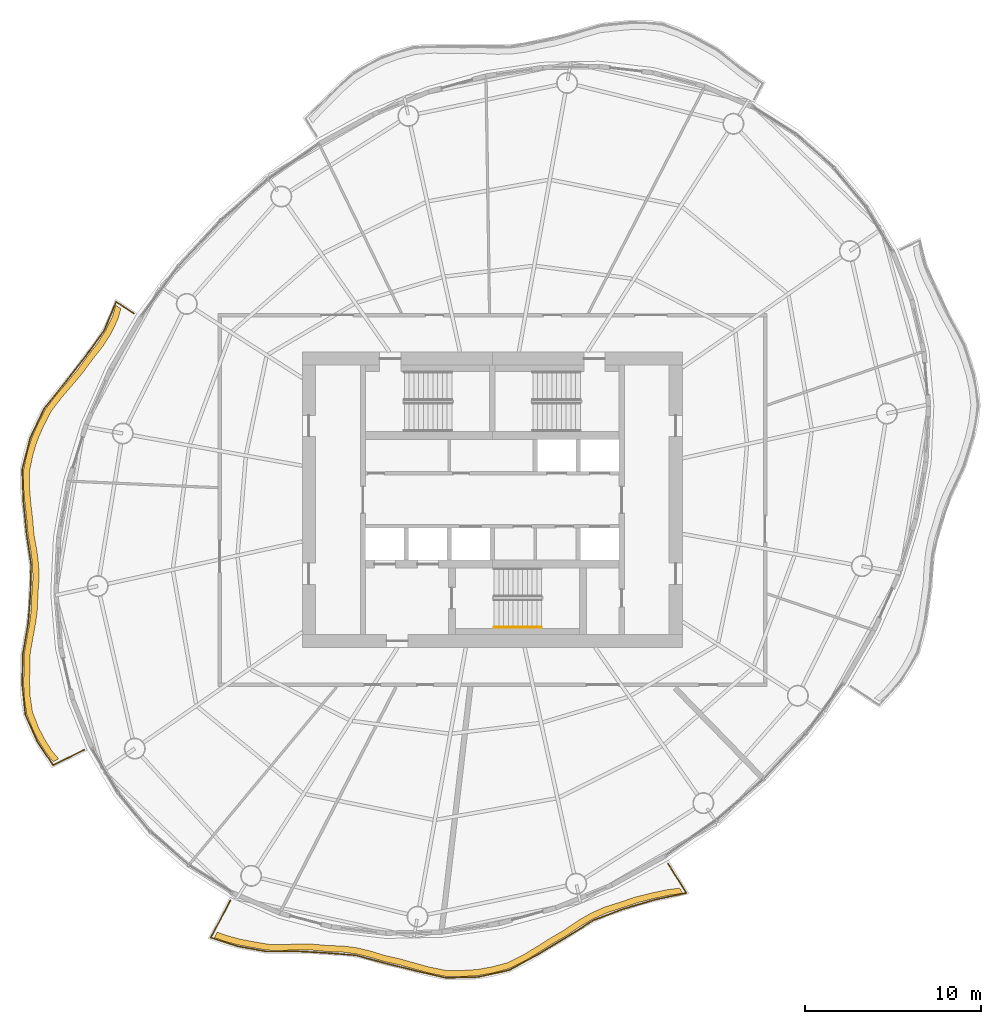
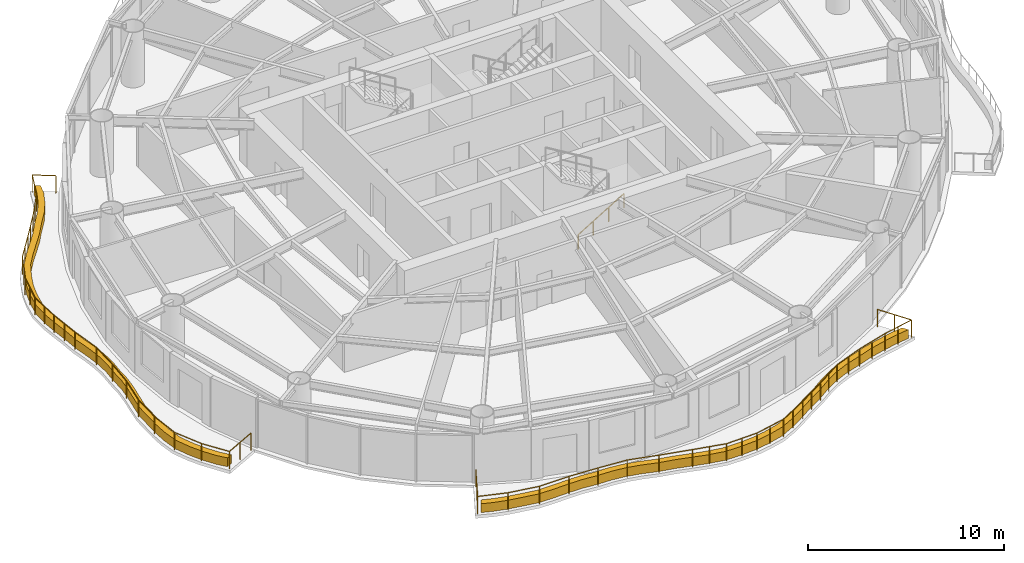
# One storey, part 12 of 14: 3 railings, 2 coverings.
"""IFC4 building model written with IfcOpenShell, lengths in metres."""

from ifc_helpers import new_model, si_unit, direction, frame, origin, origin_2d, place, context, subcontext, project, spatial, polyline, circle, outline, extrude, material, type_object, element, save


model = new_model("IFC4")

# Units and contexts
model_context = context("Model", 3, precision=1e-05, world=origin(), true_north=direction((0.0, 1.0)))
body_context = subcontext(model_context, "Body", "Model", "MODEL_VIEW")
ifc_project = project(units=[si_unit("LENGTHUNIT", "METRE"), si_unit("AREAUNIT", "SQUARE_METRE"), si_unit("VOLUMEUNIT", "CUBIC_METRE"), si_unit("PLANEANGLEUNIT", "RADIAN"), si_unit("MASSUNIT", "GRAM", prefix="KILO")], contexts=[model_context])

# Site, building, storey
site_placement = place(None, origin())
site = spatial("IfcSite", under=ifc_project, at=site_placement, CompositionType="ELEMENT")
building_placement = place(site_placement, origin())
building = spatial("IfcBuilding", under=site, at=building_placement, Name="Vermilion Reach Broadcast Tower", CompositionType="ELEMENT")
storey_placement = place(building_placement, frame((0.0, 0.0, 210.10009765625)))
storey = spatial("IfcBuildingStorey", under=building, at=storey_placement, Name="L51", CompositionType="ELEMENT", Elevation=210.10009765625)

# Coverings
ifc_material_1 = material(Name="Planting soil and greenery")
covering_type = type_object("IfcCoveringType", Name="Balcony PLANTER", PredefinedType="USERDEFINED", material=ifc_material_1)
placement = place(storey_placement, origin())
element("IfcCovering", 1, at=placement, inside=storey, type_object=covering_type, Name="PLANTER L51 group 2", ObjectType="PLANTER", PredefinedType="USERDEFINED", context=body_context, shape_type="SweptSolid", body=[
    extrude(outline(polyline([(-27.400390625, 11.056640625), (-27.589599609375, 10.4140625), (-27.974365234375, 9.61962890625), (-28.44677734375, 8.876708984375), (-29.03759765625, 8.12353515625), (-29.6015625, 7.35107421875), (-30.18115234375, 6.66015625), (-30.77099609375, 5.97412109375), (-31.388916015625, 5.16162109375), (-31.843017578125, 4.28076171875), (-32.18310546875, 3.49755859375), (-32.434326171875, 2.68701171875), (-32.63916015625, 1.7119140625), (-32.644287109375, 0.72509765625), (-32.570068359375, -0.130126953125), (-32.4697265625, -0.990234375), (-32.39208984375, -1.94140625), (-32.233642578125, -2.851806640625), (-32.131103515625, -3.66552734375), (-32.106689453125, -4.4755859375), (-32.171875, -5.35400390625), (-32.197998046875, -6.219482421875), (-32.297607421875, -7.01806640625), (-32.4443359375, -7.82080078125), (-32.602783203125, -8.753173828125), (-32.619873046875, -9.67724609375), (-32.63671875, -10.4697265625), (-32.6025390625, -11.250244140625), (-32.461181640625, -12.19287109375), (-32.115478515625, -13.060791015625), (-31.76904296875, -13.732177734375), (-31.361572265625, -14.37939453125), (-30.9599609375, -14.875732421875), (-30.6455078125, -14.721923828125), (-31.0361328125, -14.250244140625), (-31.443603515625, -13.60302734375), (-31.7900390625, -12.931640625), (-32.127197265625, -12.08837890625), (-32.26171875, -11.1708984375), (-32.2958984375, -10.390380859375), (-32.279052734375, -9.597900390625), (-32.257080078125, -8.6982421875), (-32.095703125, -7.79052734375), (-31.94873046875, -6.98779296875), (-31.84912109375, -6.189208984375), (-31.822021484375, -5.347412109375), (-31.757080078125, -4.49267578125), (-31.78173828125, -3.6826171875), (-31.884033203125, -2.868896484375), (-32.04443359375, -1.980712890625), (-32.125244140625, -1.0517578125), (-32.225341796875, -0.19189453125), (-32.2998046875, 0.663330078125), (-32.298828125, 1.62939453125), (-32.099853515625, 2.583984375), (-31.848876953125, 3.39453125), (-31.508544921875, 4.177734375), (-31.06103515625, 5.0390625), (-30.45068359375, 5.832763671875), (-29.86083984375, 6.518798828125), (-29.281494140625, 7.20947265625), (-28.725830078125, 7.964111328125), (-28.14453125, 8.7001953125), (-27.672119140625, 9.443115234375), (-27.28759765625, 10.237548828125), (-27.1083984375, 10.86376953125), (-27.400390625, 11.056640625)])), origin(), (0.0, 0.0, 1.0), 0.5498046875),
])
element("IfcCovering", 2, at=placement, inside=storey, type_object=covering_type, Name="PLANTER L51 group 3", ObjectType="PLANTER", PredefinedType="USERDEFINED", context=body_context, shape_type="SweptSolid", body=[
    extrude(outline(polyline([(-21.794677734375, -24.880615234375), (-21.189208984375, -25.096923828125), (-20.454833984375, -25.292724609375), (-19.697265625, -25.43505859375), (-18.79248046875, -25.597412109375), (-17.851806640625, -25.604736328125), (-17.0517578125, -25.58251953125), (-16.260009765625, -25.591796875), (-15.404296875, -25.673828125), (-14.534423828125, -25.702880859375), (-13.75390625, -25.8037109375), (-12.982421875, -25.98388671875), (-12.130615234375, -26.243896484375), (-11.229736328125, -26.442138671875), (-10.41748046875, -26.66943359375), (-9.605224609375, -26.89404296875), (-8.650634765625, -27.083740234375), (-7.667236328125, -27.09130859375), (-6.8369140625, -27.040771484375), (-6.019775390625, -26.90087890625), (-5.074951171875, -26.65380859375), (-4.16943359375, -26.211181640625), (-3.414794921875, -25.75634765625), (-2.66552734375, -25.281982421875), (-1.833251953125, -24.800048828125), (-1.030517578125, -24.258056640625), (-0.274169921875, -23.8193359375), (0.517822265625, -23.468017578125), (1.40576171875, -23.184326171875), (2.31201171875, -22.87548828125), (3.19482421875, -22.656494140625), (4.09375, -22.467041015625), (4.825927734375, -22.36376953125), (4.6416015625, -22.066162109375), (3.92626953125, -22.15966796875), (3.027099609375, -22.34912109375), (2.144287109375, -22.568115234375), (1.255859375, -22.8681640625), (0.3857421875, -23.143798828125), (-0.40625, -23.4951171875), (-1.162353515625, -23.93408203125), (-1.946044921875, -24.46875), (-2.7587890625, -24.944580078125), (-3.508056640625, -25.4189453125), (-4.2626953125, -25.8740234375), (-5.1474609375, -26.311279296875), (-6.0712890625, -26.5546875), (-6.888427734375, -26.694580078125), (-7.71875, -26.7451171875), (-8.679931640625, -26.735107421875), (-9.61181640625, -26.544189453125), (-10.42431640625, -26.319580078125), (-11.236572265625, -26.09228515625), (-12.11376953125, -25.894287109375), (-12.94189453125, -25.636474609375), (-13.71337890625, -25.4560546875), (-14.493896484375, -25.355224609375), (-15.339111328125, -25.330078125), (-16.170654296875, -25.25341796875), (-16.96240234375, -25.244140625), (-17.762451171875, -25.266357421875), (-18.677978515625, -25.2666015625), (-19.55859375, -25.11376953125), (-20.316162109375, -24.971435546875), (-21.050537109375, -24.775634765625), (-21.631591796875, -24.57080078125), (-21.794677734375, -24.880615234375)])), origin(), (0.0, 0.0, 1.0), 0.5498046875),
])

# Railings
ifc_material_2 = material(Name="Stainless steel 316 balustrade", Category="steel")
railing_type_1 = type_object("IfcRailingType", Name="Balcony guard 1100", PredefinedType="BALUSTRADE", material=ifc_material_2)
railing_1_placement = place(storey_placement, frame((-26.3642578125, 10.587890625, 0.0)))
element("IfcRailing", 3, at=railing_1_placement, inside=storey, type_object=railing_type_1, Name="Balcony guard L51 group 2", PredefinedType="BALUSTRADE", context=body_context, shape_type="SweptSolid", body=[
    extrude(circle(Radius=0.02490234375, at=origin_2d()), frame((0.0, 0.0, 1.0751953125), z_axis=(-0.83448906329, 0.551024503311, 0.0), x_axis=(-0.551024503311, -0.83448906329, 0.0)), (0.0, 0.0, 1.0), 1.212646484375),
    extrude(circle(Radius=0.02490234375, at=origin_2d()), frame((-1.011962890625, 0.668212890625, 1.0751953125), z_axis=(-0.385727498958, -0.922612755466, 0.0), x_axis=(0.922612755466, -0.385727498958, 0.0)), (0.0, 0.0, 1.0), 1.729736328125),
    extrude(circle(Radius=0.02490234375, at=origin_2d()), frame((-1.67919921875, -0.927734375, 1.0751953125), z_axis=(-0.579014538019, -0.815317217261, 0.0), x_axis=(0.815317217261, -0.579014538019, 0.0)), (0.0, 0.0, 1.0), 1.840087890625),
    extrude(circle(Radius=0.02490234375, at=origin_2d()), frame((-2.74462890625, -2.427978515625, 1.0751953125), z_axis=(-0.61537422171, -0.788235096436, 0.0), x_axis=(0.788235096436, -0.61537422171, 0.0)), (0.0, 0.0, 1.0), 1.861572265625),
    extrude(circle(Radius=0.02490234375, at=origin_2d()), frame((-3.89013671875, -3.895263671875, 1.0751953125), z_axis=(-0.626945715214, -0.779062943654, 0.0), x_axis=(0.779062943654, -0.626945715214, 0.0)), (0.0, 0.0, 1.0), 1.92919921875),
    extrude(circle(Radius=0.02490234375, at=origin_2d()), frame((-5.099609375, -5.398193359375, 1.0751953125), z_axis=(-0.430548668689, -0.902567362522, 0.0), x_axis=(0.902567362522, -0.430548668689, 0.0)), (0.0, 0.0, 1.0), 1.8486328125),
    extrude(circle(Radius=0.02490234375, at=origin_2d()), frame((-5.8955078125, -7.066650390625, 1.0751953125), z_axis=(-0.247319910228, -0.968933879067, 0.0), x_axis=(0.968933879067, -0.247319910228, 0.0)), (0.0, 0.0, 1.0), 1.847900390625),
    extrude(circle(Radius=0.02490234375, at=origin_2d()), frame((-6.3525390625, -8.857177734375, 1.0751953125), z_axis=(0.036855314049, -0.999320612129, 0.0), x_axis=(0.999320612129, 0.036855314049, 0.0)), (0.0, 0.0, 1.0), 1.84814453125),
    extrude(circle(Radius=0.02490234375, at=origin_2d()), frame((-6.284423828125, -10.7041015625, 1.0751953125), z_axis=(0.096999757188, -0.995284405135, 0.0), x_axis=(0.995284405135, 0.096999757188, 0.0)), (0.0, 0.0, 1.0), 1.82470703125),
    extrude(circle(Radius=0.02490234375, at=origin_2d()), frame((-6.107421875, -12.520263671875, 1.0751953125), z_axis=(0.148961661885, -0.988842972007, 0.0), x_axis=(0.988842972007, 0.148961661885, 0.0)), (0.0, 0.0, 1.0), 1.748779296875),
    extrude(circle(Radius=0.02490234375, at=origin_2d()), frame((-5.846923828125, -14.24951171875, 1.0751953125), z_axis=(-0.023915912902, -0.999713973649, 0.0), x_axis=(0.999713973649, -0.023915912902, 0.0)), (0.0, 0.0, 1.0), 1.694580078125),
    extrude(circle(Radius=0.02490234375, at=origin_2d()), frame((-5.887451171875, -15.943603515625, 1.0751953125), z_axis=(-0.074967615624, -0.997185968918, 0.0), x_axis=(0.997185968918, -0.074967615624, 0.0)), (0.0, 0.0, 1.0), 1.673828125),
    extrude(circle(Radius=0.02490234375, at=origin_2d()), frame((-6.012939453125, -17.61279296875, 1.0751953125), z_axis=(-0.172256350896, -0.985052155764, 0.0), x_axis=(0.985052155764, -0.172256350896, 0.0)), (0.0, 0.0, 1.0), 1.767333984375),
    extrude(circle(Radius=0.02490234375, at=origin_2d()), frame((-6.3173828125, -19.353759765625, 1.0751953125), z_axis=(-0.019134573835, -0.999816917282, 0.0), x_axis=(0.999816917282, -0.019134573835, 0.0)), (0.0, 0.0, 1.0), 1.722412109375),
    extrude(circle(Radius=0.02490234375, at=origin_2d()), frame((-6.350341796875, -21.075927734375, 1.0751953125), z_axis=(0.101993218234, -0.994785094095, 0.0), x_axis=(0.994785094095, 0.101993218234, 0.0)), (0.0, 0.0, 1.0), 1.73779296875),
    extrude(circle(Radius=0.02490234375, at=origin_2d()), frame((-6.173095703125, -22.8046875, 1.0751953125), z_axis=(0.409813183198, -0.912169477058, 0.0), x_axis=(0.912169477058, 0.409813183198, 0.0)), (0.0, 0.0, 1.0), 1.693603515625),
    extrude(circle(Radius=0.02490234375, at=origin_2d()), frame((-5.47900390625, -24.349609375, 1.0751953125), z_axis=(0.554771397847, -0.832002822189, 0.0), x_axis=(0.832002822189, 0.554771397847, 0.0)), (0.0, 0.0, 1.0), 1.58251953125),
    extrude(circle(Radius=0.02490234375, at=origin_2d()), frame((-4.60107421875, -25.666259765625, 1.0751953125), z_axis=(0.898109601747, 0.439771694461, 0.0), x_axis=(-0.439771694461, 0.898109601747, 0.0)), (0.0, 0.0, 1.0), 1.972412109375),
    extrude(circle(Radius=0.02490234375, at=origin_2d()), origin(), (0.0, 0.0, 1.0), 1.050048828125),
    extrude(circle(Radius=0.02490234375, at=origin_2d()), frame((-1.011962890625, 0.668212890625, 0.0)), (0.0, 0.0, 1.0), 1.050048828125),
    extrude(circle(Radius=0.02490234375, at=origin_2d()), frame((-1.67919921875, -0.927734375, 0.0)), (0.0, 0.0, 1.0), 1.050048828125),
    extrude(circle(Radius=0.02490234375, at=origin_2d()), frame((-2.2119140625, -1.677734375, 0.0)), (0.0, 0.0, 1.0), 1.050048828125),
    extrude(circle(Radius=0.02490234375, at=origin_2d()), frame((-2.74462890625, -2.427978515625, 0.0)), (0.0, 0.0, 1.0), 1.050048828125),
    extrude(circle(Radius=0.02490234375, at=origin_2d()), frame((-3.3173828125, -3.16162109375, 0.0)), (0.0, 0.0, 1.0), 1.050048828125),
    extrude(circle(Radius=0.02490234375, at=origin_2d()), frame((-3.89013671875, -3.895263671875, 0.0)), (0.0, 0.0, 1.0), 1.050048828125),
    extrude(circle(Radius=0.02490234375, at=origin_2d()), frame((-4.494873046875, -4.646728515625, 0.0)), (0.0, 0.0, 1.0), 1.050048828125),
    extrude(circle(Radius=0.02490234375, at=origin_2d()), frame((-5.099609375, -5.398193359375, 0.0)), (0.0, 0.0, 1.0), 1.050048828125),
    extrude(circle(Radius=0.02490234375, at=origin_2d()), frame((-5.49755859375, -6.232421875, 0.0)), (0.0, 0.0, 1.0), 1.050048828125),
    extrude(circle(Radius=0.02490234375, at=origin_2d()), frame((-5.8955078125, -7.066650390625, 0.0)), (0.0, 0.0, 1.0), 1.050048828125),
    extrude(circle(Radius=0.02490234375, at=origin_2d()), frame((-6.1240234375, -7.9619140625, 0.0)), (0.0, 0.0, 1.0), 1.050048828125),
    extrude(circle(Radius=0.02490234375, at=origin_2d()), frame((-6.3525390625, -8.857177734375, 0.0)), (0.0, 0.0, 1.0), 1.050048828125),
    extrude(circle(Radius=0.02490234375, at=origin_2d()), frame((-6.318359375, -9.78076171875, 0.0)), (0.0, 0.0, 1.0), 1.050048828125),
    extrude(circle(Radius=0.02490234375, at=origin_2d()), frame((-6.284423828125, -10.7041015625, 0.0)), (0.0, 0.0, 1.0), 1.050048828125),
    extrude(circle(Radius=0.02490234375, at=origin_2d()), frame((-6.19580078125, -11.6123046875, 0.0)), (0.0, 0.0, 1.0), 1.050048828125),
    extrude(circle(Radius=0.02490234375, at=origin_2d()), frame((-6.107421875, -12.520263671875, 0.0)), (0.0, 0.0, 1.0), 1.050048828125),
    extrude(circle(Radius=0.02490234375, at=origin_2d()), frame((-5.846923828125, -14.24951171875, 0.0)), (0.0, 0.0, 1.0), 1.050048828125),
    extrude(circle(Radius=0.02490234375, at=origin_2d()), frame((-5.887451171875, -15.943603515625, 0.0)), (0.0, 0.0, 1.0), 1.050048828125),
    extrude(circle(Radius=0.02490234375, at=origin_2d()), frame((-6.012939453125, -17.61279296875, 0.0)), (0.0, 0.0, 1.0), 1.050048828125),
    extrude(circle(Radius=0.02490234375, at=origin_2d()), frame((-6.3173828125, -19.353759765625, 0.0)), (0.0, 0.0, 1.0), 1.050048828125),
    extrude(circle(Radius=0.02490234375, at=origin_2d()), frame((-6.350341796875, -21.075927734375, 0.0)), (0.0, 0.0, 1.0), 1.050048828125),
    extrude(circle(Radius=0.02490234375, at=origin_2d()), frame((-6.173095703125, -22.8046875, 0.0)), (0.0, 0.0, 1.0), 1.050048828125),
    extrude(circle(Radius=0.02490234375, at=origin_2d()), frame((-5.47900390625, -24.349609375, 0.0)), (0.0, 0.0, 1.0), 1.050048828125),
    extrude(circle(Radius=0.02490234375, at=origin_2d()), frame((-4.60107421875, -25.666259765625, 0.0)), (0.0, 0.0, 1.0), 1.050048828125),
    extrude(circle(Radius=0.02490234375, at=origin_2d()), frame((-3.71533203125, -25.232421875, 0.0)), (0.0, 0.0, 1.0), 1.050048828125),
    extrude(circle(Radius=0.02490234375, at=origin_2d()), frame((-2.82958984375, -24.798828125, 0.0)), (0.0, 0.0, 1.0), 1.050048828125),
])
railing_2_placement = place(storey_placement, frame((-20.884765625, -22.76708984375, 0.0)))
element("IfcRailing", 4, at=railing_2_placement, inside=storey, type_object=railing_type_1, Name="Balcony guard L51 group 3", PredefinedType="BALUSTRADE", context=body_context, shape_type="SweptSolid", body=[
    extrude(circle(Radius=0.02490234375, at=origin_2d()), frame((0.0, 0.0, 1.0751953125), z_axis=(-0.465885475727, -0.884845027961, 0.0), x_axis=(0.884845027961, -0.465885475727, 0.0)), (0.0, 0.0, 1.0), 2.387939453125),
    extrude(circle(Radius=0.02490234375, at=origin_2d()), frame((-1.112548828125, -2.113037109375, 1.0751953125), z_axis=(0.951938886359, -0.306288028885, 0.0), x_axis=(0.306288028885, 0.951938886359, 0.0)), (0.0, 0.0, 1.0), 1.5869140625),
    extrude(circle(Radius=0.02490234375, at=origin_2d()), frame((0.398193359375, -2.59912109375, 1.0751953125), z_axis=(0.983492311805, -0.180949917438, 0.0), x_axis=(0.180949917438, 0.983492311805, 0.0)), (0.0, 0.0, 1.0), 1.696044921875),
    extrude(circle(Radius=0.02490234375, at=origin_2d()), frame((2.066162109375, -2.906005859375, 1.0751953125), z_axis=(0.999971505404, 0.007549064909, 0.0), x_axis=(-0.007549064909, 0.999971505404, 0.0)), (0.0, 0.0, 1.0), 1.746337890625),
    extrude(circle(Radius=0.02490234375, at=origin_2d()), frame((3.8125, -2.892822265625, 1.0751953125), z_axis=(0.998437126791, -0.055886526518, 0.0), x_axis=(0.055886526518, 0.998437126791, 0.0)), (0.0, 0.0, 1.0), 1.65576171875),
    extrude(circle(Radius=0.02490234375, at=origin_2d()), frame((5.465576171875, -2.9853515625, 1.0751953125), z_axis=(0.996892380495, -0.078775514661, 0.0), x_axis=(0.078775514661, 0.996892380495, 0.0)), (0.0, 0.0, 1.0), 1.6611328125),
    extrude(circle(Radius=0.02490234375, at=origin_2d()), frame((7.12158203125, -3.1162109375, 1.0751953125), z_axis=(0.965325950937, -0.261047521435, 0.0), x_axis=(0.261047521435, 0.965325950937, 0.0)), (0.0, 0.0, 1.0), 1.687255859375),
    extrude(circle(Radius=0.02490234375, at=origin_2d()), frame((8.750244140625, -3.556640625, 1.0751953125), z_axis=(0.970651373761, -0.240490978241, 0.0), x_axis=(0.240490978241, 0.970651373761, 0.0)), (0.0, 0.0, 1.0), 1.7705078125),
    extrude(circle(Radius=0.02490234375, at=origin_2d()), frame((10.46875, -3.982421875, 1.0751953125), z_axis=(0.973767926973, -0.227543456069, 0.0), x_axis=(0.227543456069, 0.973767926973, 0.0)), (0.0, 0.0, 1.0), 1.81982421875),
    extrude(circle(Radius=0.02490234375, at=origin_2d()), frame((12.24072265625, -4.396484375, 1.0751953125), z_axis=(0.999711480258, 0.024019913418, 0.0), x_axis=(-0.024019913418, 0.999711480258, 0.0)), (0.0, 0.0, 1.0), 1.8193359375),
    extrude(circle(Radius=0.02490234375, at=origin_2d()), frame((14.0595703125, -4.352783203125, 1.0751953125), z_axis=(0.976733311917, 0.214457542163, 0.0), x_axis=(-0.214457542163, 0.976733311917, 0.0)), (0.0, 0.0, 1.0), 1.808837890625),
    extrude(circle(Radius=0.02490234375, at=origin_2d()), frame((15.826416015625, -3.96484375, 1.0751953125), z_axis=(0.880056413333, 0.474869149716, 0.0), x_axis=(-0.474869149716, 0.880056413333, 0.0)), (0.0, 0.0, 1.0), 1.89208984375),
    extrude(circle(Radius=0.02490234375, at=origin_2d()), frame((17.491455078125, -3.06640625, 1.0751953125), z_axis=(0.856012734719, 0.516954734961, 0.0), x_axis=(-0.516954734961, 0.856012734719, 0.0)), (0.0, 0.0, 1.0), 1.852783203125),
    extrude(circle(Radius=0.02490234375, at=origin_2d()), frame((19.077392578125, -2.108642578125, 1.0751953125), z_axis=(0.846718236862, 0.532041565449, 0.0), x_axis=(-0.532041565449, 0.846718236862, 0.0)), (0.0, 0.0, 1.0), 1.846435546875),
    extrude(circle(Radius=0.02490234375, at=origin_2d()), frame((20.640869140625, -1.126220703125, 1.0751953125), z_axis=(0.935378417339, 0.353648436129, 0.0), x_axis=(-0.353648436129, 0.935378417339, 0.0)), (0.0, 0.0, 1.0), 1.800537109375),
    extrude(circle(Radius=0.02490234375, at=origin_2d()), frame((22.324951171875, -0.489501953125, 1.0751953125), z_axis=(0.958975763241, 0.283488069444, 0.0), x_axis=(-0.283488069444, 0.958975763241, 0.0)), (0.0, 0.0, 1.0), 1.86962890625),
    extrude(circle(Radius=0.02490234375, at=origin_2d()), frame((24.117919921875, 0.04052734375, 1.0751953125), z_axis=(0.978142259105, 0.207936819619, 0.0), x_axis=(-0.207936819619, 0.978142259105, 0.0)), (0.0, 0.0, 1.0), 1.832763671875),
    extrude(circle(Radius=0.02490234375, at=origin_2d()), frame((25.91064453125, 0.421630859375, 1.0751953125), z_axis=(-0.526405673998, 0.850233536378, 0.0), x_axis=(-0.850233536378, -0.526405673998, 0.0)), (0.0, 0.0, 1.0), 1.975341796875),
    extrude(circle(Radius=0.02490234375, at=origin_2d()), origin(), (0.0, 0.0, 1.0), 1.050048828125),
    extrude(circle(Radius=0.02490234375, at=origin_2d()), frame((-0.55615234375, -1.056640625, 0.0)), (0.0, 0.0, 1.0), 1.050048828125),
    extrude(circle(Radius=0.02490234375, at=origin_2d()), frame((-1.112548828125, -2.113037109375, 0.0)), (0.0, 0.0, 1.0), 1.050048828125),
    extrude(circle(Radius=0.02490234375, at=origin_2d()), frame((0.398193359375, -2.59912109375, 0.0)), (0.0, 0.0, 1.0), 1.050048828125),
    extrude(circle(Radius=0.02490234375, at=origin_2d()), frame((2.066162109375, -2.906005859375, 0.0)), (0.0, 0.0, 1.0), 1.050048828125),
    extrude(circle(Radius=0.02490234375, at=origin_2d()), frame((3.8125, -2.892822265625, 0.0)), (0.0, 0.0, 1.0), 1.050048828125),
    extrude(circle(Radius=0.02490234375, at=origin_2d()), frame((5.465576171875, -2.9853515625, 0.0)), (0.0, 0.0, 1.0), 1.050048828125),
    extrude(circle(Radius=0.02490234375, at=origin_2d()), frame((7.12158203125, -3.1162109375, 0.0)), (0.0, 0.0, 1.0), 1.050048828125),
    extrude(circle(Radius=0.02490234375, at=origin_2d()), frame((8.750244140625, -3.556640625, 0.0)), (0.0, 0.0, 1.0), 1.050048828125),
    extrude(circle(Radius=0.02490234375, at=origin_2d()), frame((10.46875, -3.982421875, 0.0)), (0.0, 0.0, 1.0), 1.050048828125),
    extrude(circle(Radius=0.02490234375, at=origin_2d()), frame((11.354736328125, -4.189453125, 0.0)), (0.0, 0.0, 1.0), 1.050048828125),
    extrude(circle(Radius=0.02490234375, at=origin_2d()), frame((12.24072265625, -4.396484375, 0.0)), (0.0, 0.0, 1.0), 1.050048828125),
    extrude(circle(Radius=0.02490234375, at=origin_2d()), frame((13.150146484375, -4.37451171875, 0.0)), (0.0, 0.0, 1.0), 1.050048828125),
    extrude(circle(Radius=0.02490234375, at=origin_2d()), frame((14.0595703125, -4.352783203125, 0.0)), (0.0, 0.0, 1.0), 1.050048828125),
    extrude(circle(Radius=0.02490234375, at=origin_2d()), frame((14.94287109375, -4.15869140625, 0.0)), (0.0, 0.0, 1.0), 1.050048828125),
    extrude(circle(Radius=0.02490234375, at=origin_2d()), frame((15.826416015625, -3.96484375, 0.0)), (0.0, 0.0, 1.0), 1.050048828125),
    extrude(circle(Radius=0.02490234375, at=origin_2d()), frame((16.658935546875, -3.515625, 0.0)), (0.0, 0.0, 1.0), 1.050048828125),
    extrude(circle(Radius=0.02490234375, at=origin_2d()), frame((17.491455078125, -3.06640625, 0.0)), (0.0, 0.0, 1.0), 1.050048828125),
    extrude(circle(Radius=0.02490234375, at=origin_2d()), frame((18.284423828125, -2.58740234375, 0.0)), (0.0, 0.0, 1.0), 1.050048828125),
    extrude(circle(Radius=0.02490234375, at=origin_2d()), frame((19.077392578125, -2.108642578125, 0.0)), (0.0, 0.0, 1.0), 1.050048828125),
    extrude(circle(Radius=0.02490234375, at=origin_2d()), frame((19.859130859375, -1.617431640625, 0.0)), (0.0, 0.0, 1.0), 1.050048828125),
    extrude(circle(Radius=0.02490234375, at=origin_2d()), frame((20.640869140625, -1.126220703125, 0.0)), (0.0, 0.0, 1.0), 1.050048828125),
    extrude(circle(Radius=0.02490234375, at=origin_2d()), frame((21.48291015625, -0.807861328125, 0.0)), (0.0, 0.0, 1.0), 1.050048828125),
    extrude(circle(Radius=0.02490234375, at=origin_2d()), frame((22.324951171875, -0.489501953125, 0.0)), (0.0, 0.0, 1.0), 1.050048828125),
    extrude(circle(Radius=0.02490234375, at=origin_2d()), frame((23.221435546875, -0.224609375, 0.0)), (0.0, 0.0, 1.0), 1.050048828125),
    extrude(circle(Radius=0.02490234375, at=origin_2d()), frame((24.117919921875, 0.04052734375, 0.0)), (0.0, 0.0, 1.0), 1.050048828125),
    extrude(circle(Radius=0.02490234375, at=origin_2d()), frame((25.01416015625, 0.23095703125, 0.0)), (0.0, 0.0, 1.0), 1.050048828125),
    extrude(circle(Radius=0.02490234375, at=origin_2d()), frame((25.91064453125, 0.421630859375, 0.0)), (0.0, 0.0, 1.0), 1.050048828125),
    extrude(circle(Radius=0.02490234375, at=origin_2d()), frame((25.390625, 1.26123046875, 0.0)), (0.0, 0.0, 1.0), 1.050048828125),
    extrude(circle(Radius=0.02490234375, at=origin_2d()), frame((24.870849609375, 2.10107421875, 0.0)), (0.0, 0.0, 1.0), 1.050048828125),
])
ifc_material_3 = material(Name="Stainless steel", Category="steel")
railing_type_2 = type_object("IfcRailingType", Name="Stair handrail", PredefinedType="HANDRAIL", material=ifc_material_3)
railing_3_placement = place(storey_placement, frame((-5.89990234375, -7.25, 0.16357421875)))
element("IfcRailing", 5, at=railing_3_placement, inside=storey, type_object=railing_type_2, Name="L51 ST3 stair handrail 1", PredefinedType="HANDRAIL", context=body_context, shape_type="SweptSolid", body=[
    extrude(circle(Radius=0.02392578125, at=origin_2d()), frame((0.0, 0.0, 0.8759765625), z_axis=(0.855212373127, 0.0, 0.518277721738), x_axis=(0.0, 1.0, 0.0)), (0.0, 0.0, 1.0), 3.156982421875),
    extrude(circle(Radius=0.02099609375, at=origin_2d()), origin(), (0.0, 0.0, 1.0), 0.851806640625),
    extrude(circle(Radius=0.02099609375, at=origin_2d()), frame((0.89990234375, 0.0, 0.54541015625)), (0.0, 0.0, 1.0), 0.851806640625),
    extrude(circle(Radius=0.02099609375, at=origin_2d()), frame((1.800048828125, 0.0, 1.0908203125)), (0.0, 0.0, 1.0), 0.851806640625),
    extrude(circle(Radius=0.02099609375, at=origin_2d()), frame((2.699951171875, 0.0, 1.63623046875)), (0.0, 0.0, 1.0), 0.851806640625),
])

save(model, "model.ifc")
